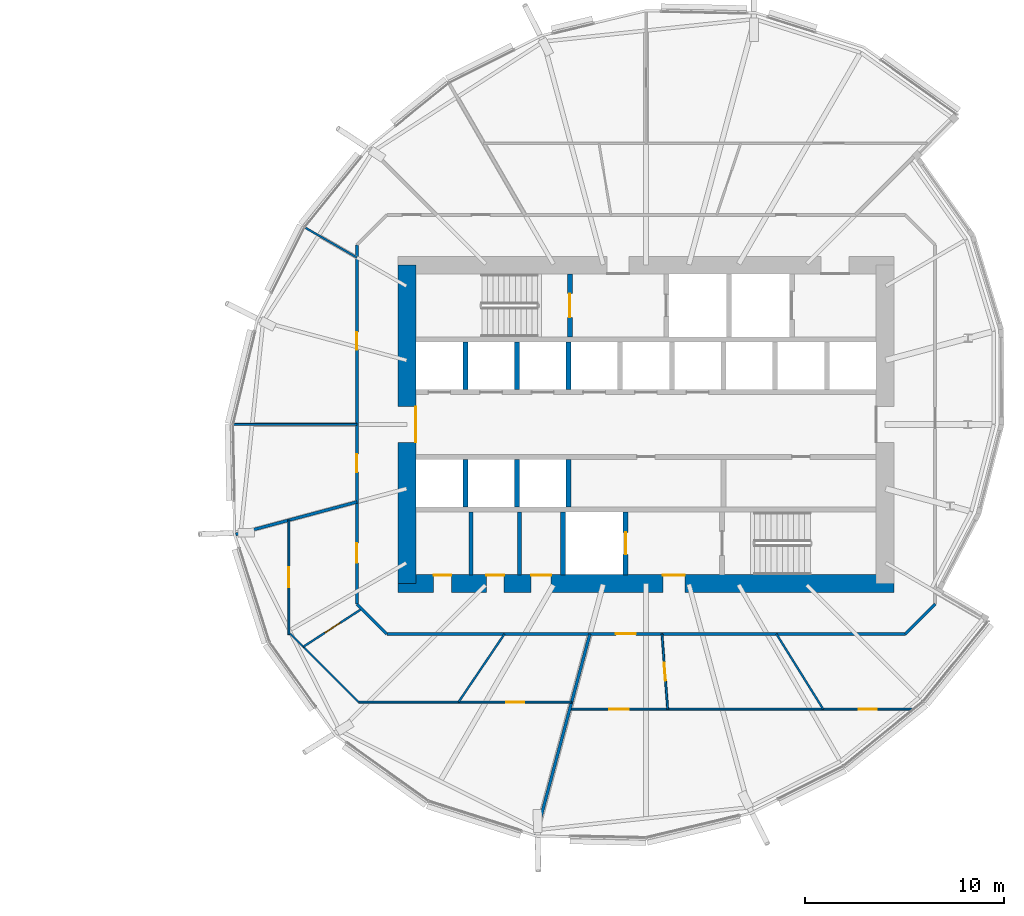
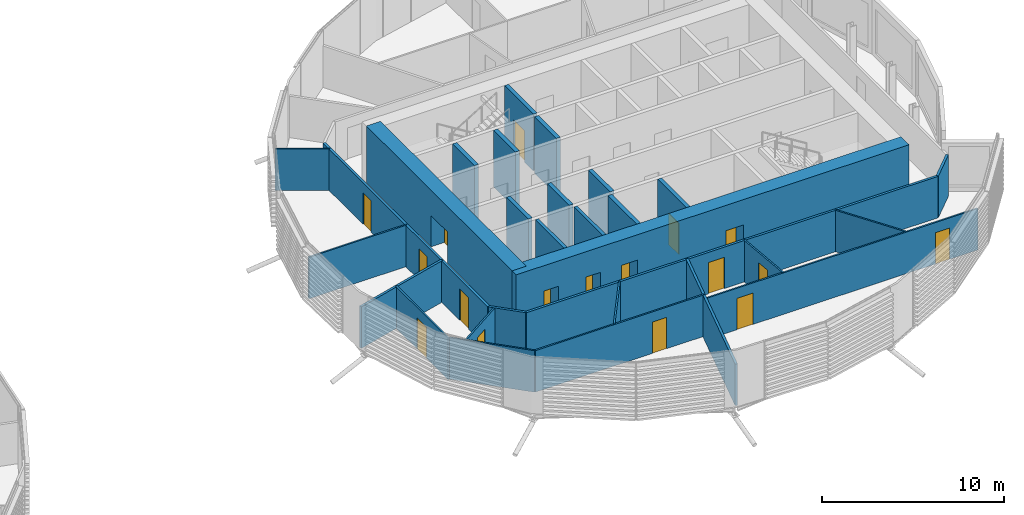
# One storey, part 22 of 36: 29 walls, 17 doors, 17 openings.
"""IFC4 building model written with IfcOpenShell, lengths in metres."""

from ifc_helpers import new_model, si_unit, direction, frame, frame_2d, origin, place, context, subcontext, project, spatial, rectangle, extrude, material, layer, layer_set, type_object, element, fill, save


model = new_model("IFC4")

# Units and contexts
model_context = context("Model", 3, precision=1e-05, world=origin(), true_north=direction((0.0, 1.0)))
body_context = subcontext(model_context, "Body", "Model", "MODEL_VIEW")
ifc_project = project(units=[si_unit("LENGTHUNIT", "METRE"), si_unit("AREAUNIT", "SQUARE_METRE"), si_unit("VOLUMEUNIT", "CUBIC_METRE"), si_unit("PLANEANGLEUNIT", "RADIAN"), si_unit("MASSUNIT", "GRAM", prefix="KILO")], contexts=[model_context])

# Site, building, storey
site_placement = place(None, origin())
site = spatial("IfcSite", under=ifc_project, at=site_placement, CompositionType="ELEMENT")
building_placement = place(site_placement, origin())
building = spatial("IfcBuilding", under=site, at=building_placement, Name="Rimbun Link Towers", CompositionType="ELEMENT")
storey_placement = place(building_placement, frame((0.0, 0.0, 33.800048828125)))
storey = spatial("IfcBuildingStorey", under=building, at=storey_placement, Name="L07", CompositionType="ELEMENT", Elevation=33.800048828125)

# Walls
ifc_material_1 = material(Name="Masonry blockwork", Category="masonry")
ifc_layer_1 = layer(ifc_material_1, 0.199951171875)
ifc_layer_set_1 = layer_set([ifc_layer_1], Name="Core partition 200")
wall_type_1 = type_object("IfcWallType", Name="Core partition 200", PredefinedType="PARTITIONING", material=ifc_layer_set_1)
for number, where, z_axis, x_axis, name in (
    (1, (22.949951171875, -4.39990234375, 0.0), (0.0, 0.0, 1.0), (0.0, -1.0, 0.0), "L07 T2 core wall C1"),
    (2, (25.39990234375, -4.39990234375, 0.0), (0.0, 0.0, 1.0), (0.0, -1.0, 0.0), "L07 T2 core wall C2"),
):
    element("IfcWall", number, at=place(storey_placement, frame(where, z_axis=z_axis, x_axis=x_axis)), inside=storey, type_object=wall_type_1, Name=name, PredefinedType="PARTITIONING", context=body_context, shape_type="SweptSolid", body=[
        extrude(rectangle(XDim=3.150146484375, YDim=0.199951171875, at=frame_2d((1.5751953125, 0.0))), origin(), (0.0, 0.0, 1.0), 3.800048828125),
    ])

# Wall, openings, doors
ifc_material_2 = material(Name="Concrete C60/75", Category="concrete")
ifc_layer_2 = layer(ifc_material_2, 0.89990234375)
ifc_layer_set_2 = layer_set([ifc_layer_2], Name="Core shear wall 900")
wall_type_2 = type_object("IfcWallType", Name="Core shear wall 900", PredefinedType="SHEAR", material=ifc_layer_set_2)
wall_1_placement = place(storey_placement, frame((19.300048828125, -8.0, 0.0), z_axis=(0.0, 0.0, 1.0), x_axis=(1.0, 0.0, 0.0)))
wall_1 = element("IfcWall", 3, at=wall_1_placement, inside=storey, type_object=wall_type_2, Name="L07 T2 core wall S", PredefinedType="SHEAR", context=body_context, shape_type="SweptSolid", body=[
    extrude(rectangle(XDim=24.89990234375, YDim=0.89990234375, at=frame_2d((12.449951171875, 0.0))), origin(), (0.0, 0.0, 1.0), 3.800048828125),
])
opening_1_placement = place(wall_1_placement, frame((13.300048828125, 0.0, 0.0)))
opening_1 = element("IfcOpeningElement", 4, at=opening_1_placement, cuts=wall_1, Name="Opening C2DCF01S", PredefinedType="OPENING", context=body_context, shape_type="SweptSolid", body=[
    extrude(rectangle(XDim=1.10009765625, YDim=2.10009765625, at=frame_2d((0.550048828125, 1.050048828125))), frame((0.0, 0.4599609375, 0.0), z_axis=(0.0, -1.0, 0.0), x_axis=(1.0, 0.0, 0.0)), (0.0, 0.0, 1.0), 0.919921875),
])
opening_2_placement = place(wall_1_placement, frame((1.77490234375, 0.0, 0.0)))
opening_2 = element("IfcOpeningElement", 5, at=opening_2_placement, cuts=wall_1, Name="Opening C2DWC02S", PredefinedType="OPENING", context=body_context, shape_type="SweptSolid", body=[
    extrude(rectangle(XDim=0.89990234375, YDim=2.10009765625, at=frame_2d((0.449951171875, 1.050048828125))), frame((0.0, 0.4599609375, 0.0), z_axis=(0.0, -1.0, 0.0), x_axis=(1.0, 0.0, 0.0)), (0.0, 0.0, 1.0), 0.919921875),
])
opening_3_placement = place(wall_1_placement, frame((4.425048828125, 0.0, 0.0)))
opening_3 = element("IfcOpeningElement", 6, at=opening_3_placement, cuts=wall_1, Name="Opening C2DWC03S", PredefinedType="OPENING", context=body_context, shape_type="SweptSolid", body=[
    extrude(rectangle(XDim=0.89990234375, YDim=2.10009765625, at=frame_2d((0.449951171875, 1.050048828125))), frame((0.0, 0.4599609375, 0.0), z_axis=(0.0, -1.0, 0.0), x_axis=(1.0, 0.0, 0.0)), (0.0, 0.0, 1.0), 0.919921875),
])
opening_4_placement = place(wall_1_placement, frame((6.675048828125, 0.0, 0.0)))
opening_4 = element("IfcOpeningElement", 7, at=opening_4_placement, cuts=wall_1, Name="Opening C2DAW04S", PredefinedType="OPENING", context=body_context, shape_type="SweptSolid", body=[
    extrude(rectangle(XDim=1.0, YDim=2.10009765625, at=frame_2d((0.5, 1.050048828125))), frame((0.0, 0.4599609375, 0.0), z_axis=(0.0, -1.0, 0.0), x_axis=(1.0, 0.0, 0.0)), (0.0, 0.0, 1.0), 0.919921875),
])
ifc_material_3 = material(Name="Timber", Category="wood")
door_type_1 = type_object("IfcDoorType", Name="Accessible WC door", OperationType="SINGLE_SWING_LEFT", PredefinedType="DOOR", material=ifc_material_3)
door_1_placement = place(opening_4_placement, origin())
door_1 = element("IfcDoor", 8, at=door_1_placement, inside=storey, type_object=door_type_1, Name="L07 T2 accessible wc door", OperationType="SINGLE_SWING_RIGHT", OverallHeight=2.10009765625, OverallWidth=1.0, PredefinedType="DOOR", context=body_context, shape_type="SweptSolid", body=[
    extrude(rectangle(XDim=1.0, YDim=2.10009765625, at=frame_2d((0.5, 1.050048828125))), frame((0.0, 0.4501953125, 0.0), z_axis=(0.0, -1.0, 0.0), x_axis=(1.0, 0.0, 0.0)), (0.0, 0.0, 1.0), 0.050048828125),
])
fill(opening_4, door_1)
ifc_material_4 = material(Name="Steel fire door set", Category="steel")
door_type_2 = type_object("IfcDoorType", Name="Core fire door single", OperationType="SINGLE_SWING_LEFT", PredefinedType="DOOR", material=ifc_material_4)
door_2_placement = place(opening_1_placement, origin())
door_2 = element("IfcDoor", 9, at=door_2_placement, inside=storey, type_object=door_type_2, Name="L07 T2 firefighting lobby s door", OperationType="SINGLE_SWING_RIGHT", OverallHeight=2.10009765625, OverallWidth=1.10009765625, PredefinedType="DOOR", context=body_context, shape_type="SweptSolid", body=[
    extrude(rectangle(XDim=1.10009765625, YDim=2.10009765625, at=frame_2d((0.550048828125, 1.050048828125))), frame((0.0, 0.4501953125, 0.0), z_axis=(0.0, -1.0, 0.0), x_axis=(1.0, 0.0, 0.0)), (0.0, 0.0, 1.0), 0.050048828125),
])
fill(opening_1, door_2)
ifc_material_5 = material(Name="Timber", Category="wood")
door_type_3 = type_object("IfcDoorType", Name="WC door", OperationType="SINGLE_SWING_LEFT", PredefinedType="DOOR", material=ifc_material_5)
door_3_placement = place(opening_2_placement, origin())
door_3 = element("IfcDoor", 10, at=door_3_placement, inside=storey, type_object=door_type_3, Name="L07 T2 male wc door", OperationType="SINGLE_SWING_LEFT", OverallHeight=2.10009765625, OverallWidth=0.89990234375, PredefinedType="DOOR", context=body_context, shape_type="SweptSolid", body=[
    extrude(rectangle(XDim=0.89990234375, YDim=2.10009765625, at=frame_2d((0.449951171875, 1.050048828125))), frame((0.0, 0.4501953125, 0.0), z_axis=(0.0, -1.0, 0.0), x_axis=(1.0, 0.0, 0.0)), (0.0, 0.0, 1.0), 0.050048828125),
])
fill(opening_2, door_3)
door_4_placement = place(opening_3_placement, origin())
door_4 = element("IfcDoor", 11, at=door_4_placement, inside=storey, type_object=door_type_3, Name="L07 T2 female wc door", OperationType="SINGLE_SWING_RIGHT", OverallHeight=2.10009765625, OverallWidth=0.89990234375, PredefinedType="DOOR", context=body_context, shape_type="SweptSolid", body=[
    extrude(rectangle(XDim=0.89990234375, YDim=2.10009765625, at=frame_2d((0.449951171875, 1.050048828125))), frame((0.0, 0.4501953125, 0.0), z_axis=(0.0, -1.0, 0.0), x_axis=(1.0, 0.0, 0.0)), (0.0, 0.0, 1.0), 0.050048828125),
])
fill(opening_3, door_4)

# Wall, opening, door
wall_2_placement = place(storey_placement, frame((19.75, -8.0, 0.0), z_axis=(0.0, 0.0, 1.0), x_axis=(0.0, 1.0, 0.0)))
wall_2 = element("IfcWall", 12, at=wall_2_placement, inside=storey, type_object=wall_type_2, Name="L07 T2 core wall W", PredefinedType="SHEAR", context=body_context, shape_type="SweptSolid", body=[
    extrude(rectangle(XDim=16.0, YDim=0.89990234375, at=frame_2d((8.0, 0.0))), origin(), (0.0, 0.0, 1.0), 3.800048828125),
])
opening_5_placement = place(wall_2_placement, frame((7.10009765625, 0.0, 0.0)))
opening_5 = element("IfcOpeningElement", 13, at=opening_5_placement, cuts=wall_2, Name="Opening C2DCL01W", PredefinedType="OPENING", context=body_context, shape_type="SweptSolid", body=[
    extrude(rectangle(XDim=1.800048828125, YDim=2.10009765625, at=frame_2d((0.89990234375, 1.050048828125))), frame((0.0, 0.4599609375, 0.0), z_axis=(0.0, -1.0, 0.0), x_axis=(1.0, 0.0, 0.0)), (0.0, 0.0, 1.0), 0.919921875),
])
ifc_material_6 = material(Name="Steel fire door set", Category="steel")
door_type_4 = type_object("IfcDoorType", Name="Core lobby door double", OperationType="DOUBLE_DOOR_SINGLE_SWING", PredefinedType="DOOR", material=ifc_material_6)
door_5_placement = place(opening_5_placement, origin())
door_5 = element("IfcDoor", 14, at=door_5_placement, inside=storey, type_object=door_type_4, Name="L07 T2 lift lobby door", OperationType="DOUBLE_DOOR_SINGLE_SWING", OverallHeight=2.10009765625, OverallWidth=1.800048828125, PredefinedType="DOOR", context=body_context, shape_type="SweptSolid", body=[
    extrude(rectangle(XDim=1.800048828125, YDim=2.10009765625, at=frame_2d((0.89990234375, 1.050048828125))), frame((0.0, -0.39990234375, 0.0), z_axis=(0.0, -1.0, 0.0), x_axis=(1.0, 0.0, 0.0)), (0.0, 0.0, 1.0), 0.050048828125),
])
fill(opening_5, door_5)

# Wall
ifc_material_7 = material(Name="Plasterboard on steel stud, mineral wool", Category="steel")
ifc_layer_3 = layer(ifc_material_7, 0.14990234375)
ifc_layer_set_3 = layer_set([ifc_layer_3], Name="Corridor wall EI 30 150 mm")
wall_type_3 = type_object("IfcWallType", Name="Corridor wall EI 30 150 mm", PredefinedType="PARTITIONING", material=ifc_layer_set_3)
wall_3_placement = place(storey_placement, frame((44.776611328125, -10.52490234375, 0.0), z_axis=(0.0, 0.0, 1.0), x_axis=(0.707106781187, 0.707106781187, 0.0)))
element("IfcWall", 15, at=wall_3_placement, inside=storey, type_object=wall_type_3, Name="Corridor wall EI 30 150 mm", PredefinedType="PARTITIONING", context=body_context, shape_type="SweptSolid", body=[
    extrude(rectangle(XDim=2.118896484375, YDim=0.14990234375, at=frame_2d((1.0595703125, 0.0))), origin(), (0.0, 0.0, 1.0), 2.779052734375),
])

# Wall, opening, door
wall_4_placement = place(storey_placement, frame((44.776611328125, -10.52490234375, 0.0), z_axis=(0.0, 0.0, 1.0), x_axis=(-1.0, 0.0, 0.0)))
wall_4 = element("IfcWall", 16, at=wall_4_placement, inside=storey, type_object=wall_type_3, Name="Corridor wall EI 30 150 mm", PredefinedType="PARTITIONING", context=body_context, shape_type="SweptSolid", body=[
    extrude(rectangle(XDim=26.05322265625, YDim=0.14990234375, at=frame_2d((13.026611328125, 0.0))), origin(), (0.0, 0.0, 1.0), 2.779052734375),
])
opening_6_placement = place(wall_4_placement, frame((13.53662109375, 0.0, 0.0)))
opening_6 = element("IfcOpeningElement", 17, at=opening_6_placement, cuts=wall_4, Name="Opening D01", PredefinedType="OPENING", context=body_context, shape_type="SweptSolid", body=[
    extrude(rectangle(XDim=1.0, YDim=2.10009765625, at=frame_2d((0.5, 1.050048828125))), frame((0.0, 0.0849609375, 0.0), z_axis=(0.0, -1.0, 0.0), x_axis=(1.0, 0.0, 0.0)), (0.0, 0.0, 1.0), 0.169921875),
])
ifc_material_8 = material(Name="Fire-resisting timber door leaf", Category="wood")
door_type_5 = type_object("IfcDoorType", Name="Fire door FD30S 1000", OperationType="NOTDEFINED", PredefinedType="DOOR", material=ifc_material_8)
door_6_placement = place(opening_6_placement, origin())
door_6 = element("IfcDoor", 18, at=door_6_placement, inside=storey, type_object=door_type_5, Name="Fire door FD30S 1000 to Customer lobby", OperationType="SINGLE_SWING_LEFT", OverallHeight=2.10009765625, OverallWidth=1.0, PredefinedType="DOOR", context=body_context, shape_type="SweptSolid", body=[
    extrude(rectangle(XDim=1.0, YDim=2.10009765625, at=frame_2d((0.5, 1.050048828125))), frame((0.0, 0.02490234375, 0.0), z_axis=(0.0, -1.0, 0.0), x_axis=(1.0, 0.0, 0.0)), (0.0, 0.0, 1.0), 0.050048828125),
])
fill(opening_6, door_6)

# Wall
wall_5_placement = place(storey_placement, frame((17.22509765625, -9.026611328125, 0.0), z_axis=(0.0, 0.0, 1.0), x_axis=(0.707106781187, -0.707106781187, 0.0)))
element("IfcWall", 19, at=wall_5_placement, inside=storey, type_object=wall_type_3, Name="Corridor wall EI 30 150 mm", PredefinedType="PARTITIONING", context=body_context, shape_type="SweptSolid", body=[
    extrude(rectangle(XDim=2.118896484375, YDim=0.14990234375, at=frame_2d((1.0595703125, 0.0))), origin(), (0.0, 0.0, 1.0), 2.779052734375),
])

# Wall, openings, doors
wall_6_placement = place(storey_placement, frame((17.22509765625, -9.026611328125, 0.0), z_axis=(0.0, 0.0, 1.0), x_axis=(0.0, 1.0, 0.0)))
wall_6 = element("IfcWall", 20, at=wall_6_placement, inside=storey, type_object=wall_type_3, Name="Corridor wall EI 30 150 mm", PredefinedType="PARTITIONING", context=body_context, shape_type="SweptSolid", body=[
    extrude(rectangle(XDim=18.05322265625, YDim=0.14990234375, at=frame_2d((9.026611328125, 0.0))), origin(), (0.0, 0.0, 1.0), 2.779052734375),
])
opening_7_placement = place(wall_6_placement, frame((12.769775390625, 0.0, 0.0)))
opening_7 = element("IfcOpeningElement", 21, at=opening_7_placement, cuts=wall_6, Name="Opening D02", PredefinedType="OPENING", context=body_context, shape_type="SweptSolid", body=[
    extrude(rectangle(XDim=0.89990234375, YDim=2.10009765625, at=frame_2d((0.449951171875, 1.050048828125))), frame((0.0, 0.0849609375, 0.0), z_axis=(0.0, -1.0, 0.0), x_axis=(1.0, 0.0, 0.0)), (0.0, 0.0, 1.0), 0.169921875),
])
opening_8_placement = place(wall_6_placement, frame((6.630615234375, 0.0, 0.0)))
opening_8 = element("IfcOpeningElement", 22, at=opening_8_placement, cuts=wall_6, Name="Opening D02", PredefinedType="OPENING", context=body_context, shape_type="SweptSolid", body=[
    extrude(rectangle(XDim=0.89990234375, YDim=2.10009765625, at=frame_2d((0.449951171875, 1.050048828125))), frame((0.0, 0.0849609375, 0.0), z_axis=(0.0, -1.0, 0.0), x_axis=(1.0, 0.0, 0.0)), (0.0, 0.0, 1.0), 0.169921875),
])
opening_9_placement = place(wall_6_placement, frame((2.0673828125, 0.0, 0.0)))
opening_9 = element("IfcOpeningElement", 23, at=opening_9_placement, cuts=wall_6, Name="Opening D01", PredefinedType="OPENING", context=body_context, shape_type="SweptSolid", body=[
    extrude(rectangle(XDim=1.0, YDim=2.10009765625, at=frame_2d((0.5, 1.050048828125))), frame((0.0, 0.0849609375, 0.0), z_axis=(0.0, -1.0, 0.0), x_axis=(1.0, 0.0, 0.0)), (0.0, 0.0, 1.0), 0.169921875),
])
door_7_placement = place(opening_9_placement, origin())
door_7 = element("IfcDoor", 24, at=door_7_placement, inside=storey, type_object=door_type_5, Name="Fire door FD30S 1000 to Reception", OperationType="SINGLE_SWING_RIGHT", OverallHeight=2.10009765625, OverallWidth=1.0, PredefinedType="DOOR", context=body_context, shape_type="SweptSolid", body=[
    extrude(rectangle(XDim=1.0, YDim=2.10009765625, at=frame_2d((0.5, 1.050048828125))), frame((0.0, 0.02490234375, 0.0), z_axis=(0.0, -1.0, 0.0), x_axis=(1.0, 0.0, 0.0)), (0.0, 0.0, 1.0), 0.050048828125),
])
fill(opening_9, door_7)
ifc_material_9 = material(Name="Fire-resisting timber door leaf", Category="wood")
door_type_6 = type_object("IfcDoorType", Name="Fire door FD30S 900", OperationType="NOTDEFINED", PredefinedType="DOOR", material=ifc_material_9)
door_8_placement = place(opening_7_placement, origin())
door_8 = element("IfcDoor", 25, at=door_8_placement, inside=storey, type_object=door_type_6, Name="Fire door FD30S 900 to Cellular office", OperationType="SINGLE_SWING_RIGHT", OverallHeight=2.10009765625, OverallWidth=0.89990234375, PredefinedType="DOOR", context=body_context, shape_type="SweptSolid", body=[
    extrude(rectangle(XDim=0.89990234375, YDim=2.10009765625, at=frame_2d((0.449951171875, 1.050048828125))), frame((0.0, 0.02490234375, 0.0), z_axis=(0.0, -1.0, 0.0), x_axis=(1.0, 0.0, 0.0)), (0.0, 0.0, 1.0), 0.050048828125),
])
fill(opening_7, door_8)
door_9_placement = place(opening_8_placement, origin())
door_9 = element("IfcDoor", 26, at=door_9_placement, inside=storey, type_object=door_type_6, Name="Fire door FD30S 900 to Meeting room", OperationType="SINGLE_SWING_LEFT", OverallHeight=2.10009765625, OverallWidth=0.89990234375, PredefinedType="DOOR", context=body_context, shape_type="SweptSolid", body=[
    extrude(rectangle(XDim=0.89990234375, YDim=2.10009765625, at=frame_2d((0.449951171875, 1.050048828125))), frame((0.0, 0.02490234375, 0.0), z_axis=(0.0, -1.0, 0.0), x_axis=(1.0, 0.0, 0.0)), (0.0, 0.0, 1.0), 0.050048828125),
])
fill(opening_8, door_9)

# Walls
ifc_material_10 = material(Name="Plasterboard on steel stud", Category="steel")
ifc_layer_4 = layer(ifc_material_10, 0.10009765625)
ifc_layer_set_4 = layer_set([ifc_layer_4], Name="Plasterboard partition 100 mm")
wall_type_4 = type_object("IfcWallType", Name="Plasterboard partition 100 mm", PredefinedType="PARTITIONING", material=ifc_layer_set_4)
wall_7_placement = place(storey_placement, frame((14.6123046875, 9.89453125, 0.0), z_axis=(0.0, 0.0, 1.0), x_axis=(0.866018486155, -0.500011981494, 0.0)))
element("IfcWall", 27, at=wall_7_placement, inside=storey, type_object=wall_type_4, Name="Plasterboard partition 100 mm", PredefinedType="PARTITIONING", context=body_context, shape_type="SweptSolid", body=[
    extrude(rectangle(XDim=3.01708984375, YDim=0.10009765625, at=frame_2d((1.508544921875, 0.0))), origin(), (0.0, 0.0, 1.0), 2.779052734375),
])
wall_8_placement = place(storey_placement, frame((11.0166015625, 0.0, 0.0), z_axis=(0.0, 0.0, 1.0), x_axis=(1.0, 0.0, 0.0)))
element("IfcWall", 28, at=wall_8_placement, inside=storey, type_object=wall_type_4, Name="Plasterboard partition 100 mm", PredefinedType="PARTITIONING", context=body_context, shape_type="SweptSolid", body=[
    extrude(rectangle(XDim=6.20849609375, YDim=0.10009765625, at=frame_2d((3.104248046875, 0.0))), origin(), (0.0, 0.0, 1.0), 2.779052734375),
])

# Wall, opening, door
wall_9_placement = place(storey_placement, frame((17.464111328125, -9.265869140625, 0.0), z_axis=(0.0, 0.0, 1.0), x_axis=(-0.83896645624, -0.544183135814, 0.0)))
wall_9 = element("IfcWall", 29, at=wall_9_placement, inside=storey, type_object=wall_type_4, Name="Plasterboard partition 100 mm", PredefinedType="PARTITIONING", context=body_context, shape_type="SweptSolid", body=[
    extrude(rectangle(XDim=3.49658203125, YDim=0.10009765625, at=frame_2d((1.748291015625, 0.0))), origin(), (0.0, 0.0, 1.0), 2.779052734375),
])
opening_10_placement = place(wall_9_placement, frame((1.29833984375, 0.0, 0.0)))
opening_10 = element("IfcOpeningElement", 30, at=opening_10_placement, cuts=wall_9, Name="Opening D04", PredefinedType="OPENING", context=body_context, shape_type="SweptSolid", body=[
    extrude(rectangle(XDim=0.89990234375, YDim=2.10009765625, at=frame_2d((0.449951171875, 1.050048828125))), frame((0.0, 0.06005859375, 0.0), z_axis=(0.0, -1.0, 0.0), x_axis=(1.0, 0.0, 0.0)), (0.0, 0.0, 1.0), 0.1201171875),
])
ifc_material_11 = material(Name="Timber door leaf", Category="wood")
door_type_7 = type_object("IfcDoorType", Name="Flush door 900", OperationType="NOTDEFINED", PredefinedType="DOOR", material=ifc_material_11)
door_10_placement = place(opening_10_placement, origin())
door_10 = element("IfcDoor", 31, at=door_10_placement, inside=storey, type_object=door_type_7, Name="Flush door 900 to Meeting room", OperationType="SINGLE_SWING_RIGHT", OverallHeight=2.10009765625, OverallWidth=0.89990234375, PredefinedType="DOOR", context=body_context, shape_type="SweptSolid", body=[
    extrude(rectangle(XDim=0.89990234375, YDim=2.10009765625, at=frame_2d((0.449951171875, 1.050048828125))), frame((0.0, 0.02490234375, 0.0), z_axis=(0.0, -1.0, 0.0), x_axis=(1.0, 0.0, 0.0)), (0.0, 0.0, 1.0), 0.050048828125),
])
fill(opening_10, door_10)

wall_10_placement = place(storey_placement, frame((13.804931640625, -10.5615234375, 0.0), z_axis=(0.0, 0.0, 1.0), x_axis=(0.0, 1.0, 0.0)))
wall_10 = element("IfcWall", 32, at=wall_10_placement, inside=storey, type_object=wall_type_4, Name="Plasterboard partition 100 mm", PredefinedType="PARTITIONING", context=body_context, shape_type="SweptSolid", body=[
    extrude(rectangle(XDim=5.753173828125, YDim=0.10009765625, at=frame_2d((2.87646484375, 0.0))), origin(), (0.0, 0.0, 1.0), 2.779052734375),
])
opening_11_placement = place(wall_10_placement, frame((2.376708984375, 0.0, 0.0)))
opening_11 = element("IfcOpeningElement", 33, at=opening_11_placement, cuts=wall_10, Name="Opening D03", PredefinedType="OPENING", context=body_context, shape_type="SweptSolid", body=[
    extrude(rectangle(XDim=1.0, YDim=2.10009765625, at=frame_2d((0.5, 1.050048828125))), frame((0.0, 0.06005859375, 0.0), z_axis=(0.0, -1.0, 0.0), x_axis=(1.0, 0.0, 0.0)), (0.0, 0.0, 1.0), 0.1201171875),
])
ifc_material_12 = material(Name="Timber door leaf", Category="wood")
door_type_8 = type_object("IfcDoorType", Name="Flush door 1000", OperationType="NOTDEFINED", PredefinedType="DOOR", material=ifc_material_12)
door_11_placement = place(opening_11_placement, origin())
door_11 = element("IfcDoor", 34, at=door_11_placement, inside=storey, type_object=door_type_8, Name="Flush door 1000 to Open office", OperationType="SINGLE_SWING_LEFT", OverallHeight=2.10009765625, OverallWidth=1.0, PredefinedType="DOOR", context=body_context, shape_type="SweptSolid", body=[
    extrude(rectangle(XDim=1.0, YDim=2.10009765625, at=frame_2d((0.5, 1.050048828125))), frame((0.0, 0.02490234375, 0.0), z_axis=(0.0, -1.0, 0.0), x_axis=(1.0, 0.0, 0.0)), (0.0, 0.0, 1.0), 0.050048828125),
])
fill(opening_11, door_11)

# Walls
wall_11_placement = place(storey_placement, frame((13.868896484375, -10.50732421875, 0.0), z_axis=(0.0, 0.0, 1.0), x_axis=(0.707182105477, -0.707031448872, 0.0)))
element("IfcWall", 35, at=wall_11_placement, inside=storey, type_object=wall_type_4, Name="Plasterboard partition 100 mm", PredefinedType="PARTITIONING", context=body_context, shape_type="SweptSolid", body=[
    extrude(rectangle(XDim=4.861572265625, YDim=0.10009765625, at=frame_2d((2.4306640625, 0.0))), origin(), (0.0, 0.0, 1.0), 2.779052734375),
])
wall_12_placement = place(storey_placement, frame((22.329345703125, -13.945068359375, 0.0), z_axis=(0.0, 0.0, 1.0), x_axis=(0.559794848407, 0.828631237461, 0.0)))
element("IfcWall", 36, at=wall_12_placement, inside=storey, type_object=wall_type_4, Name="Plasterboard partition 100 mm", PredefinedType="PARTITIONING", context=body_context, shape_type="SweptSolid", body=[
    extrude(rectangle(XDim=4.12744140625, YDim=0.10009765625, at=frame_2d((2.063720703125, 0.0))), origin(), (0.0, 0.0, 1.0), 2.779052734375),
])

# Wall, opening, door
wall_13_placement = place(storey_placement, frame((17.306640625, -13.945068359375, 0.0), z_axis=(0.0, 0.0, 1.0), x_axis=(1.0, 0.0, 0.0)))
wall_13 = element("IfcWall", 37, at=wall_13_placement, inside=storey, type_object=wall_type_4, Name="Plasterboard partition 100 mm", PredefinedType="PARTITIONING", context=body_context, shape_type="SweptSolid", body=[
    extrude(rectangle(XDim=10.706787109375, YDim=0.10009765625, at=frame_2d((5.353515625, 0.0))), origin(), (0.0, 0.0, 1.0), 2.779052734375),
])
opening_12_placement = place(wall_13_placement, frame((7.414794921875, 0.0, 0.0)))
opening_12 = element("IfcOpeningElement", 38, at=opening_12_placement, cuts=wall_13, Name="Opening D04", PredefinedType="OPENING", context=body_context, shape_type="SweptSolid", body=[
    extrude(rectangle(XDim=0.89990234375, YDim=2.10009765625, at=frame_2d((0.449951171875, 1.050048828125))), frame((0.0, 0.06005859375, 0.0), z_axis=(0.0, -1.0, 0.0), x_axis=(1.0, 0.0, 0.0)), (0.0, 0.0, 1.0), 0.1201171875),
])
door_12_placement = place(opening_12_placement, origin())
door_12 = element("IfcDoor", 39, at=door_12_placement, inside=storey, type_object=door_type_7, Name="Flush door 900 to Print room", OperationType="SINGLE_SWING_RIGHT", OverallHeight=2.10009765625, OverallWidth=0.89990234375, PredefinedType="DOOR", context=body_context, shape_type="SweptSolid", body=[
    extrude(rectangle(XDim=0.89990234375, YDim=2.10009765625, at=frame_2d((0.449951171875, 1.050048828125))), frame((0.0, 0.02490234375, 0.0), z_axis=(0.0, -1.0, 0.0), x_axis=(1.0, 0.0, 0.0)), (0.0, 0.0, 1.0), 0.050048828125),
])
fill(opening_12, door_12)

wall_14_placement = place(storey_placement, frame((32.55029296875, -10.52490234375, 0.0), z_axis=(0.0, 0.0, 1.0), x_axis=(0.075800155397, -0.997123029742, 0.0)))
wall_14 = element("IfcWall", 40, at=wall_14_placement, inside=storey, type_object=wall_type_4, Name="Plasterboard partition 100 mm", PredefinedType="PARTITIONING", context=body_context, shape_type="SweptSolid", body=[
    extrude(rectangle(XDim=3.791015625, YDim=0.10009765625, at=frame_2d((1.8955078125, 0.0))), origin(), (0.0, 0.0, 1.0), 2.779052734375),
])
opening_13_placement = place(wall_14_placement, frame((1.445556640625, 0.0, 0.0)))
opening_13 = element("IfcOpeningElement", 41, at=opening_13_placement, cuts=wall_14, Name="Opening D04", PredefinedType="OPENING", context=body_context, shape_type="SweptSolid", body=[
    extrude(rectangle(XDim=0.89990234375, YDim=2.10009765625, at=frame_2d((0.449951171875, 1.050048828125))), frame((0.0, 0.06005859375, 0.0), z_axis=(0.0, -1.0, 0.0), x_axis=(1.0, 0.0, 0.0)), (0.0, 0.0, 1.0), 0.1201171875),
])
door_13_placement = place(opening_13_placement, origin())
door_13 = element("IfcDoor", 42, at=door_13_placement, inside=storey, type_object=door_type_7, Name="Flush door 900 to Interview room", OperationType="SINGLE_SWING_RIGHT", OverallHeight=2.10009765625, OverallWidth=0.89990234375, PredefinedType="DOOR", context=body_context, shape_type="SweptSolid", body=[
    extrude(rectangle(XDim=0.89990234375, YDim=2.10009765625, at=frame_2d((0.449951171875, 1.050048828125))), frame((0.0, 0.02490234375, 0.0), z_axis=(0.0, -1.0, 0.0), x_axis=(1.0, 0.0, 0.0)), (0.0, 0.0, 1.0), 0.050048828125),
])
fill(opening_13, door_13)

# Wall, openings, doors
wall_15_placement = place(storey_placement, frame((45.144287109375, -14.304931640625, 0.0), z_axis=(0.0, 0.0, 1.0), x_axis=(-1.0, 0.0, 0.0)))
wall_15 = element("IfcWall", 43, at=wall_15_placement, inside=storey, type_object=wall_type_4, Name="Plasterboard partition 100 mm", PredefinedType="PARTITIONING", context=body_context, shape_type="SweptSolid", body=[
    extrude(rectangle(XDim=17.227294921875, YDim=0.10009765625, at=frame_2d((8.61376953125, 0.0))), origin(), (0.0, 0.0, 1.0), 2.779052734375),
])
opening_14_placement = place(wall_15_placement, frame((14.251953125, 0.0, 0.0)))
opening_14 = element("IfcOpeningElement", 44, at=opening_14_placement, cuts=wall_15, Name="Opening D03", PredefinedType="OPENING", context=body_context, shape_type="SweptSolid", body=[
    extrude(rectangle(XDim=1.0, YDim=2.10009765625, at=frame_2d((0.5, 1.050048828125))), frame((0.0, 0.06005859375, 0.0), z_axis=(0.0, -1.0, 0.0), x_axis=(1.0, 0.0, 0.0)), (0.0, 0.0, 1.0), 0.1201171875),
])
opening_15_placement = place(wall_15_placement, frame((1.796875, 0.0, 0.0)))
opening_15 = element("IfcOpeningElement", 45, at=opening_15_placement, cuts=wall_15, Name="Opening D04", PredefinedType="OPENING", context=body_context, shape_type="SweptSolid", body=[
    extrude(rectangle(XDim=0.89990234375, YDim=2.10009765625, at=frame_2d((0.449951171875, 1.050048828125))), frame((0.0, 0.06005859375, 0.0), z_axis=(0.0, -1.0, 0.0), x_axis=(1.0, 0.0, 0.0)), (0.0, 0.0, 1.0), 0.1201171875),
])
door_14_placement = place(opening_14_placement, origin())
door_14 = element("IfcDoor", 46, at=door_14_placement, inside=storey, type_object=door_type_8, Name="Flush door 1000 to Banking hall", OperationType="SINGLE_SWING_LEFT", OverallHeight=2.10009765625, OverallWidth=1.0, PredefinedType="DOOR", context=body_context, shape_type="SweptSolid", body=[
    extrude(rectangle(XDim=1.0, YDim=2.10009765625, at=frame_2d((0.5, 1.050048828125))), frame((0.0, 0.02490234375, 0.0), z_axis=(0.0, -1.0, 0.0), x_axis=(1.0, 0.0, 0.0)), (0.0, 0.0, 1.0), 0.050048828125),
])
fill(opening_14, door_14)
door_15_placement = place(opening_15_placement, origin())
door_15 = element("IfcDoor", 47, at=door_15_placement, inside=storey, type_object=door_type_7, Name="Flush door 900 to Strong room", OperationType="SINGLE_SWING_LEFT", OverallHeight=2.10009765625, OverallWidth=0.89990234375, PredefinedType="DOOR", context=body_context, shape_type="SweptSolid", body=[
    extrude(rectangle(XDim=0.89990234375, YDim=2.10009765625, at=frame_2d((0.449951171875, 1.050048828125))), frame((0.0, 0.02490234375, 0.0), z_axis=(0.0, -1.0, 0.0), x_axis=(1.0, 0.0, 0.0)), (0.0, 0.0, 1.0), 0.050048828125),
])
fill(opening_15, door_15)

# Walls
wall_16_placement = place(storey_placement, frame((40.650634765625, -14.304931640625, 0.0), z_axis=(0.0, 0.0, 1.0), x_axis=(-0.528307157768, 0.849053324032, 0.0)))
element("IfcWall", 48, at=wall_16_placement, inside=storey, type_object=wall_type_4, Name="Plasterboard partition 100 mm", PredefinedType="PARTITIONING", context=body_context, shape_type="SweptSolid", body=[
    extrude(rectangle(XDim=4.4521484375, YDim=0.10009765625, at=frame_2d((2.22607421875, 0.0))), origin(), (0.0, 0.0, 1.0), 2.779052734375),
])
ifc_material_13 = material(Name="Concrete C60/75", Category="concrete")
ifc_layer_5 = layer(ifc_material_13, 0.25)
ifc_layer_set_5 = layer_set([ifc_layer_5], Name="Shaft wall 250")
wall_type_5 = type_object("IfcWallType", Name="Shaft wall 250", PredefinedType="SHEAR", material=ifc_layer_set_5)
for number, where, z_axis, x_axis, name in (
    (49, (22.66943359375, 1.75, 0.0), (0.0, 0.0, 1.0), (0.0, 1.0, 0.0), "L07 T2 core wall DN0"),
    (50, (25.263916015625, 1.75, 0.0), (0.0, 0.0, 1.0), (0.0, 1.0, 0.0), "L07 T2 core wall DN1"),
    (51, (27.8583984375, 1.75, 0.0), (0.0, 0.0, 1.0), (0.0, 1.0, 0.0), "L07 T2 core wall DN2"),
    (52, (22.66943359375, -4.14990234375, 0.0), (0.0, 0.0, 1.0), (0.0, 1.0, 0.0), "L07 T2 core wall DS0"),
    (53, (25.263916015625, -4.14990234375, 0.0), (0.0, 0.0, 1.0), (0.0, 1.0, 0.0), "L07 T2 core wall DS1"),
    (54, (27.8583984375, -4.14990234375, 0.0), (0.0, 0.0, 1.0), (0.0, 1.0, 0.0), "L07 T2 core wall DS2"),
):
    element("IfcWall", number, at=place(storey_placement, frame(where, z_axis=z_axis, x_axis=x_axis)), inside=storey, type_object=wall_type_5, Name=name, PredefinedType="SHEAR", context=body_context, shape_type="SweptSolid", body=[
        extrude(rectangle(XDim=2.39990234375, YDim=0.25, at=frame_2d((1.199951171875, 0.0))), origin(), (0.0, 0.0, 1.0), 3.800048828125),
    ])

# Wall, opening, door
wall_17_placement = place(storey_placement, frame((27.925048828125, 4.39990234375, 0.0), z_axis=(0.0, 0.0, 1.0), x_axis=(0.0, 1.0, 0.0)))
wall_17 = element("IfcWall", 55, at=wall_17_placement, inside=storey, type_object=wall_type_5, Name="L07 T2 core wall A1", PredefinedType="SHEAR", context=body_context, shape_type="SweptSolid", body=[
    extrude(rectangle(XDim=3.150146484375, YDim=0.25, at=frame_2d((1.5751953125, 0.0))), origin(), (0.0, 0.0, 1.0), 3.800048828125),
])
opening_16_placement = place(wall_17_placement, frame((0.97509765625, 0.0, 0.0)))
opening_16 = element("IfcOpeningElement", 56, at=opening_16_placement, cuts=wall_17, Name="Opening C2DST01A1", PredefinedType="OPENING", context=body_context, shape_type="SweptSolid", body=[
    extrude(rectangle(XDim=1.199951171875, YDim=2.10009765625, at=frame_2d((0.60009765625, 1.050048828125))), frame((0.0, 0.135009765625, 0.0), z_axis=(0.0, -1.0, 0.0), x_axis=(1.0, 0.0, 0.0)), (0.0, 0.0, 1.0), 0.27001953125),
])
ifc_material_14 = material(Name="Steel fire door set", Category="steel")
door_type_9 = type_object("IfcDoorType", Name="Stair door", OperationType="SINGLE_SWING_LEFT", PredefinedType="DOOR", material=ifc_material_14)
door_16_placement = place(opening_16_placement, origin())
door_16 = element("IfcDoor", 57, at=door_16_placement, inside=storey, type_object=door_type_9, Name="L07 T2 stair a door", OperationType="SINGLE_SWING_RIGHT", OverallHeight=2.10009765625, OverallWidth=1.199951171875, PredefinedType="DOOR", context=body_context, shape_type="SweptSolid", body=[
    extrude(rectangle(XDim=1.199951171875, YDim=2.10009765625, at=frame_2d((0.60009765625, 1.050048828125))), frame((0.0, 0.02490234375, 0.0), z_axis=(0.0, -1.0, 0.0), x_axis=(1.0, 0.0, 0.0)), (0.0, 0.0, 1.0), 0.050048828125),
])
fill(opening_16, door_16)

wall_18_placement = place(storey_placement, frame((30.72509765625, -4.39990234375, 0.0), z_axis=(0.0, 0.0, 1.0), x_axis=(0.0, -1.0, 0.0)))
wall_18 = element("IfcWall", 58, at=wall_18_placement, inside=storey, type_object=wall_type_5, Name="L07 T2 core wall B2", PredefinedType="SHEAR", context=body_context, shape_type="SweptSolid", body=[
    extrude(rectangle(XDim=3.150146484375, YDim=0.25, at=frame_2d((1.5751953125, 0.0))), origin(), (0.0, 0.0, 1.0), 3.800048828125),
])
opening_17_placement = place(wall_18_placement, frame((1.02490234375, 0.0, 0.0)))
opening_17 = element("IfcOpeningElement", 59, at=opening_17_placement, cuts=wall_18, Name="Opening LD-T2-FF2", PredefinedType="OPENING", context=body_context, shape_type="SweptSolid", body=[
    extrude(rectangle(XDim=1.10009765625, YDim=2.10009765625, at=frame_2d((0.550048828125, 1.050048828125))), frame((0.0, 0.135009765625, 0.0), z_axis=(0.0, -1.0, 0.0), x_axis=(1.0, 0.0, 0.0)), (0.0, 0.0, 1.0), 0.27001953125),
])
ifc_material_15 = material(Name="Stainless steel grade 316", Category="steel")
door_type_10 = type_object("IfcDoorType", Name="Lift landing door", OperationType="DOUBLE_DOOR_SLIDING", PredefinedType="DOOR", material=ifc_material_15)
door_17_placement = place(opening_17_placement, origin())
door_17 = element("IfcDoor", 60, at=door_17_placement, inside=storey, type_object=door_type_10, Name="L07 T2 lift FF2 landing door", OperationType="DOUBLE_DOOR_SLIDING", OverallHeight=2.10009765625, OverallWidth=1.10009765625, PredefinedType="DOOR", context=body_context, shape_type="SweptSolid", body=[
    extrude(rectangle(XDim=1.10009765625, YDim=2.10009765625, at=frame_2d((0.550048828125, 1.050048828125))), frame((0.0, 0.02490234375, 0.0), z_axis=(0.0, -1.0, 0.0), x_axis=(1.0, 0.0, 0.0)), (0.0, 0.0, 1.0), 0.050048828125),
])
fill(opening_17, door_17)

# Walls
wall_19_placement = place(storey_placement, frame((27.574951171875, -4.39990234375, 0.0), z_axis=(0.0, 0.0, 1.0), x_axis=(0.0, -1.0, 0.0)))
element("IfcWall", 61, at=wall_19_placement, inside=storey, type_object=wall_type_5, Name="L07 T2 core wall B3", PredefinedType="SHEAR", context=body_context, shape_type="SweptSolid", body=[
    extrude(rectangle(XDim=3.150146484375, YDim=0.25, at=frame_2d((1.5751953125, 0.0))), origin(), (0.0, 0.0, 1.0), 3.800048828125),
])
ifc_material_16 = material(Name="Plasterboard on steel stud, mineral wool", Category="steel")
ifc_layer_6 = layer(ifc_material_16, 0.14990234375)
ifc_layer_set_6 = layer_set([ifc_layer_6], Name="Tenancy separation wall EI 60 150 mm")
wall_type_6 = type_object("IfcWallType", Name="Tenancy separation wall EI 60 150 mm", PredefinedType="PARTITIONING", material=ifc_layer_set_6)
wall_20_placement = place(storey_placement, frame((17.22509765625, -3.891845703125, 0.0), z_axis=(0.0, 0.0, 1.0), x_axis=(-0.965920059985, -0.258840564283, 0.0)))
element("IfcWall", 62, at=wall_20_placement, inside=storey, type_object=wall_type_6, Name="Tenancy separation wall EI 60 150 mm", PredefinedType="PARTITIONING", context=body_context, shape_type="SweptSolid", body=[
    extrude(rectangle(XDim=6.30712890625, YDim=0.14990234375, at=frame_2d((3.153564453125, 0.0))), origin(), (0.0, 0.0, 1.0), 2.779052734375),
])
wall_21_placement = place(storey_placement, frame((28.929931640625, -10.52490234375, 0.0), z_axis=(0.0, 0.0, 1.0), x_axis=(-0.258830300683, -0.965922810295, 0.0)))
element("IfcWall", 63, at=wall_21_placement, inside=storey, type_object=wall_type_6, Name="Tenancy separation wall EI 60 150 mm", PredefinedType="PARTITIONING", context=body_context, shape_type="SweptSolid", body=[
    extrude(rectangle(XDim=10.4482421875, YDim=0.14990234375, at=frame_2d((5.22412109375, 0.0))), origin(), (0.0, 0.0, 1.0), 2.779052734375),
])

save(model, "model.ifc")
